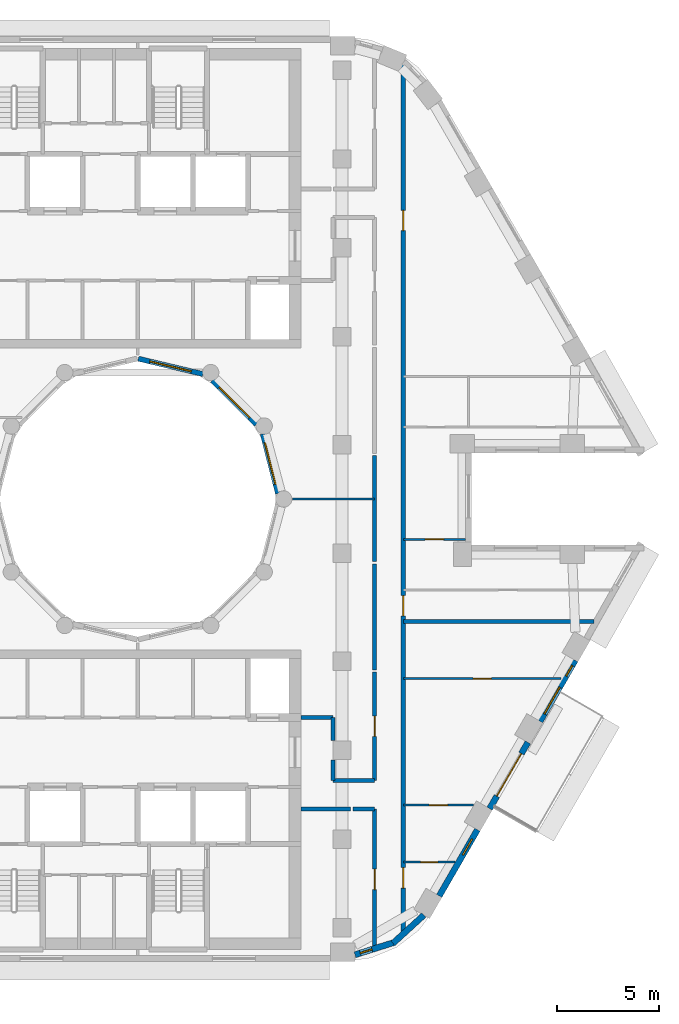
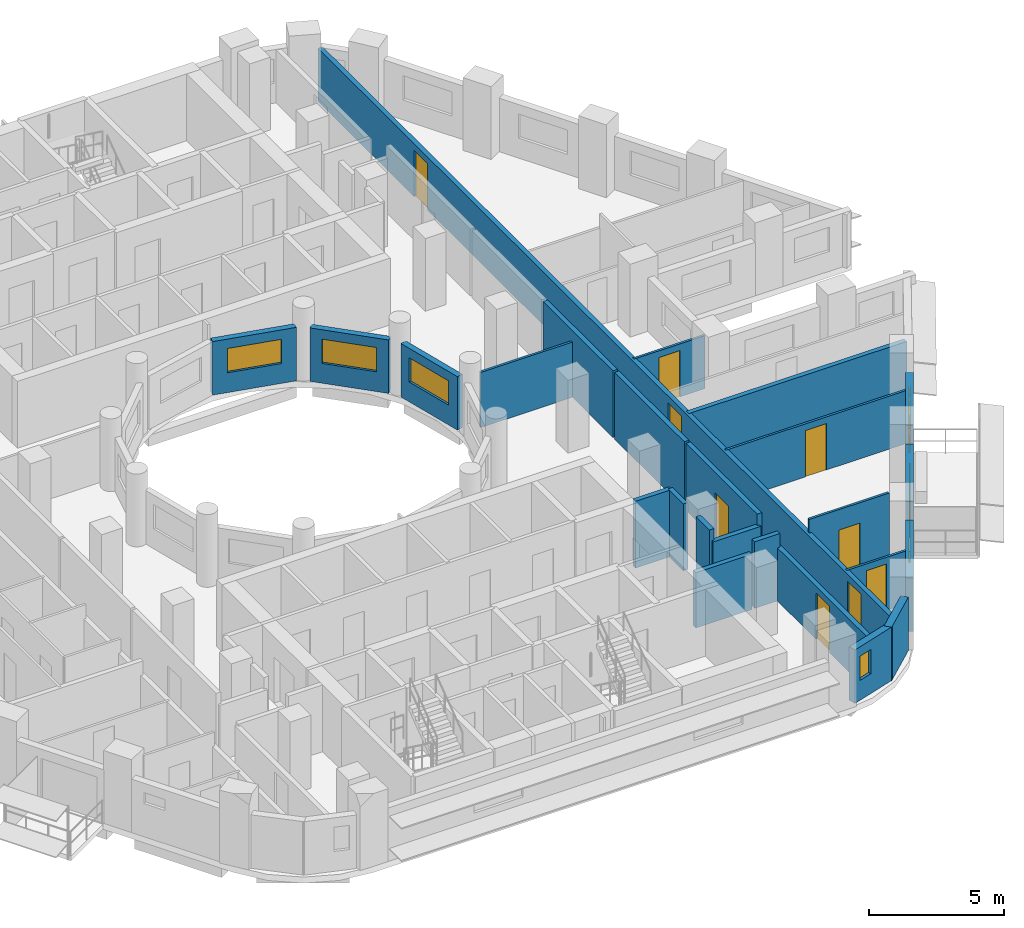
# One storey, part 6 of 17: 25 walls, 10 doors, 7 windows, 17 openings.
"""IFC4 building model written with IfcOpenShell, lengths in metres."""

from ifc_helpers import new_model, si_unit, direction, frame, frame_2d, origin, place, context, subcontext, project, spatial, rectangle, extrude, material, layer, layer_set, type_object, element, fill, save


model = new_model("IFC4")

# Units and contexts
model_context = context("Model", 3, precision=1e-05, world=origin(), true_north=direction((0.0, 1.0)))
body_context = subcontext(model_context, "Body", "Model", "MODEL_VIEW")
ifc_project = project(units=[si_unit("LENGTHUNIT", "METRE"), si_unit("AREAUNIT", "SQUARE_METRE"), si_unit("VOLUMEUNIT", "CUBIC_METRE"), si_unit("PLANEANGLEUNIT", "RADIAN"), si_unit("MASSUNIT", "GRAM", prefix="KILO")], contexts=[model_context])

# Site, building, storey
site_placement = place(None, origin())
site = spatial("IfcSite", under=ifc_project, at=site_placement, CompositionType="ELEMENT")
building_placement = place(site_placement, origin())
building = spatial("IfcBuilding", under=site, at=building_placement, Name="Nakaniwa Court", CompositionType="ELEMENT")
storey_placement = place(building_placement, frame((0.0, 0.0, 209.699951171875)))
storey = spatial("IfcBuildingStorey", under=building, at=storey_placement, Name="L55", CompositionType="ELEMENT", Elevation=209.699951171875)

# Wall, opening, door
ifc_material_1 = material(Name="Acoustic double stud partition")
ifc_layer_1 = layer(ifc_material_1, 0.199951171875)
ifc_layer_set_1 = layer_set([ifc_layer_1], Name="Acoustic double stud partition")
wall_type_1 = type_object("IfcWallType", Name="Acoustic double stud partition 200", PredefinedType="PARTITIONING", material=ifc_layer_set_1)
wall_1_placement = place(storey_placement, frame((91.60009765625, 57.92626953125, 0.0), z_axis=(0.0, 0.0, 1.0), x_axis=(0.0, 1.0, 0.0)))
wall_1 = element("IfcWall", 1, at=wall_1_placement, inside=storey, type_object=wall_type_1, Name="Partition PW-073", PredefinedType="PARTITIONING", context=body_context, shape_type="SweptSolid", body=[
    extrude(rectangle(XDim=6.898681640625, YDim=0.199951171875, at=frame_2d((3.44921875, 0.0))), origin(), (0.0, 0.0, 1.0), 2.405029296875),
])
opening_1_placement = place(wall_1_placement, frame((2.948974609375, 0.0, 0.0)))
opening_1 = element("IfcOpeningElement", 2, at=opening_1_placement, cuts=wall_1, Name="Opening D-02-01", PredefinedType="OPENING", context=body_context, shape_type="SweptSolid", body=[
    extrude(rectangle(XDim=1.0, YDim=2.10009765625, at=frame_2d((0.5, 1.050048828125))), frame((0.0, 0.10986328125, 0.0), z_axis=(0.0, -1.0, 0.0), x_axis=(1.0, 0.0, 0.0)), (0.0, 0.0, 1.0), 0.219970703125),
])
ifc_material_2 = material(Name="Solid core timber door set, black veneer", Category="wood")
door_type_1 = type_object("IfcDoorType", Name="Internal door 1000", OperationType="NOTDEFINED", PredefinedType="DOOR", material=ifc_material_2)
door_1_placement = place(opening_1_placement, origin())
door_1 = element("IfcDoor", 3, at=door_1_placement, inside=storey, type_object=door_type_1, Name="Door D-02-01 L55-029", OperationType="SINGLE_SWING_RIGHT", OverallHeight=2.10009765625, OverallWidth=1.0, PredefinedType="DOOR", context=body_context, shape_type="SweptSolid", body=[
    extrude(rectangle(XDim=1.0, YDim=2.10009765625, at=frame_2d((0.5, 1.050048828125))), frame((0.0, 0.02490234375, 0.0), z_axis=(0.0, -1.0, 0.0), x_axis=(1.0, 0.0, 0.0)), (0.0, 0.0, 1.0), 0.050048828125),
])
fill(opening_1, door_1)

wall_2_placement = place(storey_placement, frame((91.60009765625, 66.22509765625, 0.0), z_axis=(0.0, 0.0, 1.0), x_axis=(0.0, 1.0, 0.0)))
wall_2 = element("IfcWall", 4, at=wall_2_placement, inside=storey, type_object=wall_type_1, Name="Partition PW-074", PredefinedType="PARTITIONING", context=body_context, shape_type="SweptSolid", body=[
    extrude(rectangle(XDim=5.297607421875, YDim=0.199951171875, at=frame_2d((2.64892578125, 0.0))), origin(), (0.0, 0.0, 1.0), 3.025146484375),
])
opening_2_placement = place(wall_2_placement, frame((2.14794921875, 0.0, 0.0)))
opening_2 = element("IfcOpeningElement", 5, at=opening_2_placement, cuts=wall_2, Name="Opening D-02-02", PredefinedType="OPENING", context=body_context, shape_type="SweptSolid", body=[
    extrude(rectangle(XDim=1.0, YDim=2.10009765625, at=frame_2d((0.5, 1.050048828125))), frame((0.0, 0.10986328125, 0.0), z_axis=(0.0, -1.0, 0.0), x_axis=(1.0, 0.0, 0.0)), (0.0, 0.0, 1.0), 0.219970703125),
])
door_2_placement = place(opening_2_placement, origin())
door_2 = element("IfcDoor", 6, at=door_2_placement, inside=storey, type_object=door_type_1, Name="Door D-02-02 L55-034", OperationType="SINGLE_SWING_LEFT", OverallHeight=2.10009765625, OverallWidth=1.0, PredefinedType="DOOR", context=body_context, shape_type="SweptSolid", body=[
    extrude(rectangle(XDim=1.0, YDim=2.10009765625, at=frame_2d((0.5, 1.050048828125))), frame((0.0, 0.02490234375, 0.0), z_axis=(0.0, -1.0, 0.0), x_axis=(1.0, 0.0, 0.0)), (0.0, 0.0, 1.0), 0.050048828125),
])
fill(opening_2, door_2)

# Walls
for number, where, z_axis, x_axis, name in (
    (7, (91.60009765625, 71.63720703125, 0.0), (0.0, 0.0, 1.0), (0.0, 1.0, 0.0), "Partition PW-075"),
    (8, (91.60009765625, 76.937255859375, 0.0), (0.0, 0.0, 1.0), (0.0, 1.0, 0.0), "Partition PW-076"),
):
    element("IfcWall", number, at=place(storey_placement, frame(where, z_axis=z_axis, x_axis=x_axis)), inside=storey, type_object=wall_type_1, Name=name, PredefinedType="PARTITIONING", context=body_context, shape_type="SweptSolid", body=[
        extrude(rectangle(XDim=5.185546875, YDim=0.199951171875, at=frame_2d((2.5927734375, 0.0))), origin(), (0.0, 0.0, 1.0), 3.025146484375),
    ])
wall_3_placement = place(storey_placement, frame((88.0, 64.824951171875, 0.0), z_axis=(0.0, 0.0, 1.0), x_axis=(1.0, 0.0, 0.0)))
element("IfcWall", 9, at=wall_3_placement, inside=storey, type_object=wall_type_1, Name="Partition PW-082", PredefinedType="PARTITIONING", context=body_context, shape_type="SweptSolid", body=[
    extrude(rectangle(XDim=2.412841796875, YDim=0.199951171875, at=frame_2d((1.20654296875, 0.0))), origin(), (0.0, 0.0, 1.0), 2.505126953125),
])
wall_4_placement = place(storey_placement, frame((90.527099609375, 64.824951171875, 0.0), z_axis=(0.0, 0.0, 1.0), x_axis=(1.0, 0.0, 0.0)))
element("IfcWall", 10, at=wall_4_placement, inside=storey, type_object=wall_type_1, Name="Partition PW-083", PredefinedType="PARTITIONING", context=body_context, shape_type="SweptSolid", body=[
    extrude(rectangle(XDim=1.072998046875, YDim=0.199951171875, at=frame_2d((0.53662109375, 0.0))), origin(), (0.0, 0.0, 1.0), 3.025146484375),
])

# Wall, openings, doors
wall_5_placement = place(storey_placement, frame((93.0, 101.28076171875, 0.0), z_axis=(0.0, 0.0, 1.0), x_axis=(0.0, -1.0, 0.0)))
wall_5 = element("IfcWall", 11, at=wall_5_placement, inside=storey, type_object=wall_type_1, Name="Partition PW-084", PredefinedType="PARTITIONING", context=body_context, shape_type="SweptSolid", body=[
    extrude(rectangle(XDim=42.6064453125, YDim=0.199951171875, at=frame_2d((21.30322265625, 0.0))), origin(), (0.0, 0.0, 1.0), 2.405029296875),
])
opening_3_placement = place(wall_5_placement, frame((39.330078125, 0.0, 0.0)))
opening_3 = element("IfcOpeningElement", 12, at=opening_3_placement, cuts=wall_5, Name="Opening D-01-01", PredefinedType="OPENING", context=body_context, shape_type="SweptSolid", body=[
    extrude(rectangle(XDim=1.0, YDim=2.10009765625, at=frame_2d((0.5, 1.050048828125))), frame((0.0, 0.10986328125, 0.0), z_axis=(0.0, -1.0, 0.0), x_axis=(1.0, 0.0, 0.0)), (0.0, 0.0, 1.0), 0.219970703125),
])
opening_4_placement = place(wall_5_placement, frame((26.0048828125, 0.0, 0.0)))
opening_4 = element("IfcOpeningElement", 13, at=opening_4_placement, cuts=wall_5, Name="Opening D-01-02", PredefinedType="OPENING", context=body_context, shape_type="SweptSolid", body=[
    extrude(rectangle(XDim=1.0, YDim=2.10009765625, at=frame_2d((0.5, 1.050048828125))), frame((0.0, 0.10986328125, 0.0), z_axis=(0.0, -1.0, 0.0), x_axis=(1.0, 0.0, 0.0)), (0.0, 0.0, 1.0), 0.219970703125),
])
opening_5_placement = place(wall_5_placement, frame((7.14306640625, 0.0, 0.0)))
opening_5 = element("IfcOpeningElement", 14, at=opening_5_placement, cuts=wall_5, Name="Opening D-02-03", PredefinedType="OPENING", context=body_context, shape_type="SweptSolid", body=[
    extrude(rectangle(XDim=1.0, YDim=2.10009765625, at=frame_2d((0.5, 1.050048828125))), frame((0.0, 0.10986328125, 0.0), z_axis=(0.0, -1.0, 0.0), x_axis=(1.0, 0.0, 0.0)), (0.0, 0.0, 1.0), 0.219970703125),
])
door_type_2 = type_object("IfcDoorType", Name="Flat entrance door 1000", OperationType="NOTDEFINED", PredefinedType="DOOR", material=ifc_material_2)
door_3_placement = place(opening_3_placement, origin())
door_3 = element("IfcDoor", 15, at=door_3_placement, inside=storey, type_object=door_type_2, Name="Door D-01-01 L55-030", OperationType="SINGLE_SWING_LEFT", OverallHeight=2.10009765625, OverallWidth=1.0, PredefinedType="DOOR", context=body_context, shape_type="SweptSolid", body=[
    extrude(rectangle(XDim=1.0, YDim=2.10009765625, at=frame_2d((0.5, 1.050048828125))), frame((0.0, 0.02490234375, 0.0), z_axis=(0.0, -1.0, 0.0), x_axis=(1.0, 0.0, 0.0)), (0.0, 0.0, 1.0), 0.050048828125),
])
fill(opening_3, door_3)
door_4_placement = place(opening_4_placement, origin())
door_4 = element("IfcDoor", 16, at=door_4_placement, inside=storey, type_object=door_type_2, Name="Door D-01-02 L55-035", OperationType="SINGLE_SWING_RIGHT", OverallHeight=2.10009765625, OverallWidth=1.0, PredefinedType="DOOR", context=body_context, shape_type="SweptSolid", body=[
    extrude(rectangle(XDim=1.0, YDim=2.10009765625, at=frame_2d((0.5, 1.050048828125))), frame((0.0, 0.02490234375, 0.0), z_axis=(0.0, -1.0, 0.0), x_axis=(1.0, 0.0, 0.0)), (0.0, 0.0, 1.0), 0.050048828125),
])
fill(opening_4, door_4)
door_5_placement = place(opening_5_placement, origin())
door_5 = element("IfcDoor", 17, at=door_5_placement, inside=storey, type_object=door_type_1, Name="Door D-02-03 L55-040", OperationType="SINGLE_SWING_LEFT", OverallHeight=2.10009765625, OverallWidth=1.0, PredefinedType="DOOR", context=body_context, shape_type="SweptSolid", body=[
    extrude(rectangle(XDim=1.0, YDim=2.10009765625, at=frame_2d((0.5, 1.050048828125))), frame((0.0, 0.02490234375, 0.0), z_axis=(0.0, -1.0, 0.0), x_axis=(1.0, 0.0, 0.0)), (0.0, 0.0, 1.0), 0.050048828125),
])
fill(opening_5, door_5)

# Walls
wall_6_placement = place(storey_placement, frame((88.0, 69.300048828125, 0.0), z_axis=(0.0, 0.0, 1.0), x_axis=(1.0, 0.0, 0.0)))
element("IfcWall", 18, at=wall_6_placement, inside=storey, type_object=wall_type_1, Name="Partition PW-086", PredefinedType="PARTITIONING", context=body_context, shape_type="SweptSolid", body=[
    extrude(rectangle(XDim=1.550048828125, YDim=0.199951171875, at=frame_2d((0.77490234375, 0.0))), origin(), (0.0, 0.0, 1.0), 3.025146484375),
])
wall_7_placement = place(storey_placement, frame((89.550048828125, 66.22509765625, 0.0), z_axis=(0.0, 0.0, 1.0), x_axis=(0.0, 1.0, 0.0)))
element("IfcWall", 19, at=wall_7_placement, inside=storey, type_object=wall_type_1, Name="Partition PW-087", PredefinedType="PARTITIONING", context=body_context, shape_type="SweptSolid", body=[
    extrude(rectangle(XDim=1.0078125, YDim=0.199951171875, at=frame_2d((0.50390625, 0.0))), origin(), (0.0, 0.0, 1.0), 3.025146484375),
])
wall_8_placement = place(storey_placement, frame((89.550048828125, 68.167236328125, 0.0), z_axis=(0.0, 0.0, 1.0), x_axis=(0.0, 1.0, 0.0)))
element("IfcWall", 20, at=wall_8_placement, inside=storey, type_object=wall_type_1, Name="Partition PW-088", PredefinedType="PARTITIONING", context=body_context, shape_type="SweptSolid", body=[
    extrude(rectangle(XDim=1.1328125, YDim=0.199951171875, at=frame_2d((0.56640625, 0.0))), origin(), (0.0, 0.0, 1.0), 3.025146484375),
])
wall_9_placement = place(storey_placement, frame((89.550048828125, 66.22509765625, 0.0), z_axis=(0.0, 0.0, 1.0), x_axis=(1.0, 0.0, 0.0)))
element("IfcWall", 21, at=wall_9_placement, inside=storey, type_object=wall_type_1, Name="Partition PW-092", PredefinedType="PARTITIONING", context=body_context, shape_type="SweptSolid", body=[
    extrude(rectangle(XDim=2.050048828125, YDim=0.199951171875, at=frame_2d((1.02490234375, 0.0))), origin(), (0.0, 0.0, 1.0), 2.505126953125),
])
wall_10_placement = place(storey_placement, frame((93.0009765625, 74.0, 0.0), z_axis=(0.0, 0.0, 1.0), x_axis=(1.0, 0.0, 0.0)))
element("IfcWall", 22, at=wall_10_placement, inside=storey, type_object=wall_type_1, Name="Partition PW-120", PredefinedType="PARTITIONING", context=body_context, shape_type="SweptSolid", body=[
    extrude(rectangle(XDim=9.342529296875, YDim=0.199951171875, at=frame_2d((4.67138671875, 0.0))), origin(), (0.0, 0.0, 1.0), 2.405029296875),
])

# Wall, opening, window
ifc_material_3 = material(Name="Charcoal ceramic cladding")
ifc_layer_2 = layer(ifc_material_3, 0.02, Name="Ceramic cladding")
ifc_material_4 = material(Name="Ventilated air cavity")
ifc_layer_3 = layer(ifc_material_4, 0.04, ventilated=True, Name="Ventilated cavity")
ifc_material_5 = material(Name="Mineral wool insulation")
ifc_layer_4 = layer(ifc_material_5, 0.1, Name="Insulation")
ifc_material_6 = material(Name="Cement bonded sheathing board")
ifc_layer_5 = layer(ifc_material_6, 0.012, Name="Sheathing")
ifc_material_7 = material(Name="Cold-formed galvanised stud frame with mineral wool infill")
ifc_layer_6 = layer(ifc_material_7, 0.1, Name="Stud frame")
ifc_material_8 = material(Name="Fire-rated gypsum plasterboard lining")
ifc_layer_7 = layer(ifc_material_8, 0.028, Name="Lining")
ifc_layer_set_2 = layer_set([ifc_layer_2, ifc_layer_3, ifc_layer_4, ifc_layer_5, ifc_layer_6, ifc_layer_7], Name="Charcoal ceramic faced external wall system")
wall_type_2 = type_object("IfcWallType", Name="Black ceramic faced external wall 300", PredefinedType="SOLIDWALL", material=ifc_layer_set_2)
wall_11_placement = place(storey_placement, frame((90.6357421875, 57.684814453125, 0.0), z_axis=(0.0, 0.0, 1.0), x_axis=(0.95368324118, 0.300812691707, 0.0)))
wall_11 = element("IfcWall", 23, at=wall_11_placement, inside=storey, type_object=wall_type_2, Name="L55 external wall 27", PredefinedType="SOLIDWALL", context=body_context, shape_type="SweptSolid", body=[
    extrude(rectangle(XDim=2.053466796875, YDim=0.300048828125, at=frame_2d((1.02685546875, 0.0))), origin(), (0.0, 0.0, 1.0), 2.425048828125),
])
opening_6_placement = place(wall_11_placement, frame((0.271240234375, 0.0, 0.89990234375)))
opening_6 = element("IfcOpeningElement", 24, at=opening_6_placement, cuts=wall_11, Name="Opening W8.28", PredefinedType="OPENING", context=body_context, shape_type="SweptSolid", body=[
    extrude(rectangle(XDim=0.60009765625, YDim=1.10009765625, at=frame_2d((0.300048828125, 0.550048828125))), frame((0.0, 0.159912109375, 0.0), z_axis=(0.0, -1.0, 0.0), x_axis=(1.0, 0.0, 0.0)), (0.0, 0.0, 1.0), 0.320068359375),
])
ifc_material_9 = material(Name="Black anodised aluminium frame with dark low-E laminated double glazing", Category="aluminium")
window_type_1 = type_object("IfcWindowType", Name="Dark glass window 600x1100 sill 900", PartitioningType="SINGLE_PANEL", PredefinedType="WINDOW", material=ifc_material_9)
window_1_placement = place(opening_6_placement, origin())
window_1 = element("IfcWindow", 25, at=window_1_placement, inside=storey, type_object=window_type_1, Name="L55 habitable room window 27-0", OverallHeight=1.10009765625, OverallWidth=0.60009765625, PartitioningType="SINGLE_PANEL", PredefinedType="WINDOW", context=body_context, shape_type="SweptSolid", body=[
    extrude(rectangle(XDim=0.60009765625, YDim=1.10009765625, at=frame_2d((0.300048828125, 0.550048828125))), frame((0.0, 0.030029296875, 0.0), z_axis=(0.0, -1.0, 0.0), x_axis=(1.0, 0.0, 0.0)), (0.0, 0.0, 1.0), 0.06005859375),
])
fill(opening_6, window_1)

# Wall
wall_12_placement = place(storey_placement, frame((92.494140625, 58.243896484375, 0.0), z_axis=(0.0, 0.0, 1.0), x_axis=(0.73764876128, 0.675184645102, 0.0)))
element("IfcWall", 26, at=wall_12_placement, inside=storey, type_object=wall_type_2, Name="L55 external wall 28", PredefinedType="SOLIDWALL", context=body_context, shape_type="SweptSolid", body=[
    extrude(rectangle(XDim=2.048095703125, YDim=0.300048828125, at=frame_2d((1.02392578125, 0.0))), origin(), (0.0, 0.0, 1.0), 2.425048828125),
])

# Wall, opening, window
wall_13_placement = place(storey_placement, frame((94.760986328125, 60.566650390625, 0.0), z_axis=(0.0, 0.0, 1.0), x_axis=(0.499982088007, 0.866035745032, 0.0)))
wall_13 = element("IfcWall", 27, at=wall_13_placement, inside=storey, type_object=wall_type_2, Name="L55 external wall 29", PredefinedType="SOLIDWALL", context=body_context, shape_type="SweptSolid", body=[
    extrude(rectangle(XDim=3.744384765625, YDim=0.300048828125, at=frame_2d((1.8720703125, 0.0))), origin(), (0.0, 0.0, 1.0), 2.425048828125),
])
opening_7_placement = place(wall_13_placement, frame((2.318603515625, 0.0, 1.5)))
opening_7 = element("IfcOpeningElement", 28, at=opening_7_placement, cuts=wall_13, Name="Opening W10.29", PredefinedType="OPENING", context=body_context, shape_type="SweptSolid", body=[
    extrude(rectangle(XDim=0.89990234375, YDim=0.5, at=frame_2d((0.449951171875, 0.25))), frame((0.0, 0.159912109375, 0.0), z_axis=(0.0, -1.0, 0.0), x_axis=(1.0, 0.0, 0.0)), (0.0, 0.0, 1.0), 0.320068359375),
])
window_type_2 = type_object("IfcWindowType", Name="Dark glass window 900x500 sill 1500", PartitioningType="SINGLE_PANEL", PredefinedType="WINDOW", material=ifc_material_9)
window_2_placement = place(opening_7_placement, origin())
window_2 = element("IfcWindow", 29, at=window_2_placement, inside=storey, type_object=window_type_2, Name="L55 bathroom window 29-1", OverallHeight=0.5, OverallWidth=0.89990234375, PartitioningType="SINGLE_PANEL", PredefinedType="WINDOW", context=body_context, shape_type="SweptSolid", body=[
    extrude(rectangle(XDim=0.89990234375, YDim=0.5, at=frame_2d((0.449951171875, 0.25))), frame((0.0, 0.030029296875, 0.0), z_axis=(0.0, -1.0, 0.0), x_axis=(1.0, 0.0, 0.0)), (0.0, 0.0, 1.0), 0.06005859375),
])
fill(opening_7, window_2)

# Wall, opening, door
wall_14_placement = place(storey_placement, frame((97.22900390625, 64.841552734375, 0.0), z_axis=(0.0, 0.0, 1.0), x_axis=(0.500059225181, 0.86599120741, 0.0)))
wall_14 = element("IfcWall", 30, at=wall_14_placement, inside=storey, type_object=wall_type_2, Name="L55 external wall 30", PredefinedType="SOLIDWALL", context=body_context, shape_type="SweptSolid", body=[
    extrude(rectangle(XDim=3.744140625, YDim=0.300048828125, at=frame_2d((1.8720703125, 0.0))), origin(), (0.0, 0.0, 1.0), 2.425048828125),
])
opening_8_placement = place(wall_14_placement, frame((0.710693359375, 0.0, 0.0)))
opening_8 = element("IfcOpeningElement", 31, at=opening_8_placement, cuts=wall_14, Name="Opening XD13.03", PredefinedType="OPENING", context=body_context, shape_type="SweptSolid", body=[
    extrude(rectangle(XDim=2.39990234375, YDim=2.0, at=frame_2d((1.199951171875, 1.0))), frame((0.0, 0.159912109375, 0.0), z_axis=(0.0, -1.0, 0.0), x_axis=(1.0, 0.0, 0.0)), (0.0, 0.0, 1.0), 0.320068359375),
])
ifc_material_10 = material(Name="Black powder-coated aluminium frame with dark laminated glass", Category="aluminium")
door_type_3 = type_object("IfcDoorType", Name="Balcony sliding door 2400x2000", OperationType="DOUBLE_DOOR_SLIDING", PredefinedType="DOOR", material=ifc_material_10)
door_6_placement = place(opening_8_placement, origin())
door_6 = element("IfcDoor", 32, at=door_6_placement, inside=storey, type_object=door_type_3, Name="L55 balcony sliding door 03", OperationType="DOUBLE_DOOR_SLIDING", OverallHeight=2.0, OverallWidth=2.39990234375, PredefinedType="DOOR", context=body_context, shape_type="SweptSolid", body=[
    extrude(rectangle(XDim=2.39990234375, YDim=2.0, at=frame_2d((1.199951171875, 1.0))), frame((0.0, 0.02490234375, 0.0), z_axis=(0.0, -1.0, 0.0), x_axis=(1.0, 0.0, 0.0)), (0.0, 0.0, 1.0), 0.050048828125),
])
fill(opening_8, door_6)

# Wall, openings, windows
wall_15_placement = place(storey_placement, frame((99.697265625, 69.116455078125, 0.0), z_axis=(0.0, 0.0, 1.0), x_axis=(0.499955427682, 0.866051136095, 0.0)))
wall_15 = element("IfcWall", 33, at=wall_15_placement, inside=storey, type_object=wall_type_2, Name="L55 external wall 31", PredefinedType="SOLIDWALL", context=body_context, shape_type="SweptSolid", body=[
    extrude(rectangle(XDim=3.447021484375, YDim=0.300048828125, at=frame_2d((1.7236328125, 0.0))), origin(), (0.0, 0.0, 1.0), 2.425048828125),
])
opening_9_placement = place(wall_15_placement, frame((0.42236328125, 0.0, 0.89990234375)))
opening_9 = element("IfcOpeningElement", 34, at=opening_9_placement, cuts=wall_15, Name="Opening W5.30", PredefinedType="OPENING", context=body_context, shape_type="SweptSolid", body=[
    extrude(rectangle(XDim=1.5, YDim=1.10009765625, at=frame_2d((0.75, 0.550048828125))), frame((0.0, 0.159912109375, 0.0), z_axis=(0.0, -1.0, 0.0), x_axis=(1.0, 0.0, 0.0)), (0.0, 0.0, 1.0), 0.320068359375),
])
opening_10_placement = place(wall_15_placement, frame((2.558837890625, 0.0, 0.89990234375)))
opening_10 = element("IfcOpeningElement", 35, at=opening_10_placement, cuts=wall_15, Name="Opening W8.31", PredefinedType="OPENING", context=body_context, shape_type="SweptSolid", body=[
    extrude(rectangle(XDim=0.60009765625, YDim=1.10009765625, at=frame_2d((0.300048828125, 0.550048828125))), frame((0.0, 0.159912109375, 0.0), z_axis=(0.0, -1.0, 0.0), x_axis=(1.0, 0.0, 0.0)), (0.0, 0.0, 1.0), 0.320068359375),
])
window_type_3 = type_object("IfcWindowType", Name="Dark glass window 1500x1100 sill 900", PartitioningType="SINGLE_PANEL", PredefinedType="WINDOW", material=ifc_material_9)
window_3_placement = place(opening_9_placement, origin())
window_3 = element("IfcWindow", 36, at=window_3_placement, inside=storey, type_object=window_type_3, Name="L55 living window 31-0", OverallHeight=1.10009765625, OverallWidth=1.5, PartitioningType="SINGLE_PANEL", PredefinedType="WINDOW", context=body_context, shape_type="SweptSolid", body=[
    extrude(rectangle(XDim=1.5, YDim=1.10009765625, at=frame_2d((0.75, 0.550048828125))), frame((0.0, 0.030029296875, 0.0), z_axis=(0.0, -1.0, 0.0), x_axis=(1.0, 0.0, 0.0)), (0.0, 0.0, 1.0), 0.06005859375),
])
fill(opening_9, window_3)
window_4_placement = place(opening_10_placement, origin())
window_4 = element("IfcWindow", 37, at=window_4_placement, inside=storey, type_object=window_type_1, Name="L55 habitable room window 31-1", OverallHeight=1.10009765625, OverallWidth=0.60009765625, PartitioningType="SINGLE_PANEL", PredefinedType="WINDOW", context=body_context, shape_type="SweptSolid", body=[
    extrude(rectangle(XDim=0.60009765625, YDim=1.10009765625, at=frame_2d((0.300048828125, 0.550048828125))), frame((0.0, 0.030029296875, 0.0), z_axis=(0.0, -1.0, 0.0), x_axis=(1.0, 0.0, 0.0)), (0.0, 0.0, 1.0), 0.06005859375),
])
fill(opening_10, window_4)

# Wall, opening, window
ifc_layer_8 = layer(ifc_material_3, 0.02, Name="Ceramic cladding")
ifc_layer_9 = layer(ifc_material_4, 0.04, ventilated=True, Name="Ventilated cavity")
ifc_layer_10 = layer(ifc_material_5, 0.075, Name="Insulation")
ifc_layer_11 = layer(ifc_material_6, 0.012, Name="Sheathing")
ifc_layer_12 = layer(ifc_material_7, 0.075, Name="Stud frame")
ifc_layer_13 = layer(ifc_material_8, 0.028, Name="Lining")
ifc_layer_set_3 = layer_set([ifc_layer_8, ifc_layer_9, ifc_layer_10, ifc_layer_11, ifc_layer_12, ifc_layer_13], Name="Charcoal ceramic faced external wall system")
wall_type_3 = type_object("IfcWallType", Name="Charcoal ceramic faced well wall 250", PredefinedType="SOLIDWALL", material=ifc_layer_set_3)
wall_16_placement = place(storey_placement, frame((80.029052734375, 86.87158203125, 0.0), z_axis=(0.0, 0.0, 1.0), x_axis=(0.972773113459, -0.231759508395, 0.0)))
wall_16 = element("IfcWall", 38, at=wall_16_placement, inside=storey, type_object=wall_type_3, Name="L55 external wall 45", PredefinedType="SOLIDWALL", context=body_context, shape_type="SweptSolid", body=[
    extrude(rectangle(XDim=3.24560546875, YDim=0.25, at=frame_2d((1.622802734375, 0.0))), origin(), (0.0, 0.0, 1.0), 2.425048828125),
])
opening_11_placement = place(wall_16_placement, frame((0.57275390625, 0.0, 0.89990234375)))
opening_11 = element("IfcOpeningElement", 39, at=opening_11_placement, cuts=wall_16, Name="Opening W7.45", PredefinedType="OPENING", context=body_context, shape_type="SweptSolid", body=[
    extrude(rectangle(XDim=2.10009765625, YDim=1.10009765625, at=frame_2d((1.050048828125, 0.550048828125))), frame((0.0, 0.135009765625, 0.0), z_axis=(0.0, -1.0, 0.0), x_axis=(1.0, 0.0, 0.0)), (0.0, 0.0, 1.0), 0.27001953125),
])
window_type_4 = type_object("IfcWindowType", Name="Dark glass window 2100x1100 sill 900", PartitioningType="SINGLE_PANEL", PredefinedType="WINDOW", material=ifc_material_9)
window_5_placement = place(opening_11_placement, origin())
window_5 = element("IfcWindow", 40, at=window_5_placement, inside=storey, type_object=window_type_4, Name="L55 habitable room window 45-0", OverallHeight=1.10009765625, OverallWidth=2.10009765625, PartitioningType="SINGLE_PANEL", PredefinedType="WINDOW", context=body_context, shape_type="SweptSolid", body=[
    extrude(rectangle(XDim=2.10009765625, YDim=1.10009765625, at=frame_2d((1.050048828125, 0.550048828125))), frame((0.0, 0.030029296875, 0.0), z_axis=(0.0, -1.0, 0.0), x_axis=(1.0, 0.0, 0.0)), (0.0, 0.0, 1.0), 0.06005859375),
])
fill(opening_11, window_5)

wall_17_placement = place(storey_placement, frame((83.660888671875, 85.8056640625, 0.0), z_axis=(0.0, 0.0, 1.0), x_axis=(0.707106781187, -0.707106781187, 0.0)))
wall_17 = element("IfcWall", 41, at=wall_17_placement, inside=storey, type_object=wall_type_3, Name="L55 external wall 46", PredefinedType="SOLIDWALL", context=body_context, shape_type="SweptSolid", body=[
    extrude(rectangle(XDim=3.033203125, YDim=0.25, at=frame_2d((1.5166015625, 0.0))), origin(), (0.0, 0.0, 1.0), 2.425048828125),
])
opening_12_placement = place(wall_17_placement, frame((0.466552734375, 0.0, 0.89990234375)))
opening_12 = element("IfcOpeningElement", 42, at=opening_12_placement, cuts=wall_17, Name="Opening W7.46", PredefinedType="OPENING", context=body_context, shape_type="SweptSolid", body=[
    extrude(rectangle(XDim=2.10009765625, YDim=1.10009765625, at=frame_2d((1.050048828125, 0.550048828125))), frame((0.0, 0.135009765625, 0.0), z_axis=(0.0, -1.0, 0.0), x_axis=(1.0, 0.0, 0.0)), (0.0, 0.0, 1.0), 0.27001953125),
])
window_6_placement = place(opening_12_placement, origin())
window_6 = element("IfcWindow", 43, at=window_6_placement, inside=storey, type_object=window_type_4, Name="L55 habitable room window 46-0", OverallHeight=1.10009765625, OverallWidth=2.10009765625, PartitioningType="SINGLE_PANEL", PredefinedType="WINDOW", context=body_context, shape_type="SweptSolid", body=[
    extrude(rectangle(XDim=2.10009765625, YDim=1.10009765625, at=frame_2d((1.050048828125, 0.550048828125))), frame((0.0, 0.030029296875, 0.0), z_axis=(0.0, -1.0, 0.0), x_axis=(1.0, 0.0, 0.0)), (0.0, 0.0, 1.0), 0.06005859375),
])
fill(opening_12, window_6)

wall_18_placement = place(storey_placement, frame((86.11669921875, 83.186767578125, 0.0), z_axis=(0.0, 0.0, 1.0), x_axis=(0.247055971283, -0.969001211069, 0.0)))
wall_18 = element("IfcWall", 44, at=wall_18_placement, inside=storey, type_object=wall_type_3, Name="L55 external wall 47", PredefinedType="SOLIDWALL", context=body_context, shape_type="SweptSolid", body=[
    extrude(rectangle(XDim=3.010009765625, YDim=0.25, at=frame_2d((1.5048828125, 0.0))), origin(), (0.0, 0.0, 1.0), 2.425048828125),
])
opening_13_placement = place(wall_18_placement, frame((0.441162109375, 0.0, 0.89990234375)))
opening_13 = element("IfcOpeningElement", 45, at=opening_13_placement, cuts=wall_18, Name="Opening W7.47", PredefinedType="OPENING", context=body_context, shape_type="SweptSolid", body=[
    extrude(rectangle(XDim=2.10009765625, YDim=1.10009765625, at=frame_2d((1.050048828125, 0.550048828125))), frame((0.0, 0.135009765625, 0.0), z_axis=(0.0, -1.0, 0.0), x_axis=(1.0, 0.0, 0.0)), (0.0, 0.0, 1.0), 0.27001953125),
])
window_7_placement = place(opening_13_placement, origin())
window_7 = element("IfcWindow", 46, at=window_7_placement, inside=storey, type_object=window_type_4, Name="L55 habitable room window 47-0", OverallHeight=1.10009765625, OverallWidth=2.10009765625, PartitioningType="SINGLE_PANEL", PredefinedType="WINDOW", context=body_context, shape_type="SweptSolid", body=[
    extrude(rectangle(XDim=2.10009765625, YDim=1.10009765625, at=frame_2d((1.050048828125, 0.550048828125))), frame((0.0, 0.030029296875, 0.0), z_axis=(0.0, -1.0, 0.0), x_axis=(1.0, 0.0, 0.0)), (0.0, 0.0, 1.0), 0.06005859375),
])
fill(opening_13, window_7)

# Wall, opening, door
ifc_material_11 = material(Name="Single stud plasterboard partition")
ifc_layer_14 = layer(ifc_material_11, 0.10009765625)
ifc_layer_set_4 = layer_set([ifc_layer_14], Name="Single stud plasterboard partition")
wall_type_4 = type_object("IfcWallType", Name="Single stud plasterboard partition 100", PredefinedType="PARTITIONING", material=ifc_layer_set_4)
wall_19_placement = place(storey_placement, frame((93.0009765625, 62.22509765625, 0.0), z_axis=(0.0, 0.0, 1.0), x_axis=(1.0, 0.0, 0.0)))
wall_19 = element("IfcWall", 47, at=wall_19_placement, inside=storey, type_object=wall_type_4, Name="Partition PW-117", PredefinedType="PARTITIONING", context=body_context, shape_type="SweptSolid", body=[
    extrude(rectangle(XDim=2.544189453125, YDim=0.10009765625, at=frame_2d((1.27197265625, 0.0))), origin(), (0.0, 0.0, 1.0), 2.405029296875),
])
opening_14_placement = place(wall_19_placement, frame((0.846923828125, 0.0, 0.0)))
opening_14 = element("IfcOpeningElement", 48, at=opening_14_placement, cuts=wall_19, Name="Opening D-03-01", PredefinedType="OPENING", context=body_context, shape_type="SweptSolid", body=[
    extrude(rectangle(XDim=0.85009765625, YDim=2.10009765625, at=frame_2d((0.425048828125, 1.050048828125))), frame((0.0, 0.06005859375, 0.0), z_axis=(0.0, -1.0, 0.0), x_axis=(1.0, 0.0, 0.0)), (0.0, 0.0, 1.0), 0.1201171875),
])
ifc_material_12 = material(Name="Moisture sealed timber door set", Category="wood")
door_type_4 = type_object("IfcDoorType", Name="Bathroom door 850", OperationType="NOTDEFINED", PredefinedType="DOOR", material=ifc_material_12)
door_7_placement = place(opening_14_placement, origin())
door_7 = element("IfcDoor", 49, at=door_7_placement, inside=storey, type_object=door_type_4, Name="Door D-03-01 L55-031", OperationType="SINGLE_SWING_RIGHT", OverallHeight=2.10009765625, OverallWidth=0.85009765625, PredefinedType="DOOR", context=body_context, shape_type="SweptSolid", body=[
    extrude(rectangle(XDim=0.85009765625, YDim=2.10009765625, at=frame_2d((0.425048828125, 1.050048828125))), frame((0.0, 0.02490234375, 0.0), z_axis=(0.0, -1.0, 0.0), x_axis=(1.0, 0.0, 0.0)), (0.0, 0.0, 1.0), 0.050048828125),
])
fill(opening_14, door_7)

wall_20_placement = place(storey_placement, frame((93.0009765625, 65.013916015625, 0.0), z_axis=(0.0, 0.0, 1.0), x_axis=(1.0, 0.0, 0.0)))
wall_20 = element("IfcWall", 50, at=wall_20_placement, inside=storey, type_object=wall_type_4, Name="Partition PW-118", PredefinedType="PARTITIONING", context=body_context, shape_type="SweptSolid", body=[
    extrude(rectangle(XDim=3.4384765625, YDim=0.10009765625, at=frame_2d((1.71923828125, 0.0))), origin(), (0.0, 0.0, 1.0), 3.025146484375),
])
opening_15_placement = place(wall_20_placement, frame((1.26904296875, 0.0, 0.0)))
opening_15 = element("IfcOpeningElement", 51, at=opening_15_placement, cuts=wall_20, Name="Opening D-33-01", PredefinedType="OPENING", context=body_context, shape_type="SweptSolid", body=[
    extrude(rectangle(XDim=0.89990234375, YDim=2.10009765625, at=frame_2d((0.449951171875, 1.050048828125))), frame((0.0, 0.06005859375, 0.0), z_axis=(0.0, -1.0, 0.0), x_axis=(1.0, 0.0, 0.0)), (0.0, 0.0, 1.0), 0.1201171875),
])
door_type_5 = type_object("IfcDoorType", Name="Internal door 900", OperationType="NOTDEFINED", PredefinedType="DOOR", material=ifc_material_2)
door_8_placement = place(opening_15_placement, origin())
door_8 = element("IfcDoor", 52, at=door_8_placement, inside=storey, type_object=door_type_5, Name="Door D-33-01 L55-032", OperationType="SINGLE_SWING_LEFT", OverallHeight=2.10009765625, OverallWidth=0.89990234375, PredefinedType="DOOR", context=body_context, shape_type="SweptSolid", body=[
    extrude(rectangle(XDim=0.89990234375, YDim=2.10009765625, at=frame_2d((0.449951171875, 1.050048828125))), frame((0.0, 0.02490234375, 0.0), z_axis=(0.0, -1.0, 0.0), x_axis=(1.0, 0.0, 0.0)), (0.0, 0.0, 1.0), 0.050048828125),
])
fill(opening_15, door_8)

wall_21_placement = place(storey_placement, frame((93.0009765625, 71.2109375, 0.0), z_axis=(0.0, 0.0, 1.0), x_axis=(1.0, 0.0, 0.0)))
wall_21 = element("IfcWall", 53, at=wall_21_placement, inside=storey, type_object=wall_type_4, Name="Partition PW-119", PredefinedType="PARTITIONING", context=body_context, shape_type="SweptSolid", body=[
    extrude(rectangle(XDim=7.732421875, YDim=0.10009765625, at=frame_2d((3.8662109375, 0.0))), origin(), (0.0, 0.0, 1.0), 2.405029296875),
])
opening_16_placement = place(wall_21_placement, frame((3.416015625, 0.0, 0.0)))
opening_16 = element("IfcOpeningElement", 54, at=opening_16_placement, cuts=wall_21, Name="Opening D-33-02", PredefinedType="OPENING", context=body_context, shape_type="SweptSolid", body=[
    extrude(rectangle(XDim=0.89990234375, YDim=2.10009765625, at=frame_2d((0.449951171875, 1.050048828125))), frame((0.0, 0.06005859375, 0.0), z_axis=(0.0, -1.0, 0.0), x_axis=(1.0, 0.0, 0.0)), (0.0, 0.0, 1.0), 0.1201171875),
])
door_9_placement = place(opening_16_placement, origin())
door_9 = element("IfcDoor", 55, at=door_9_placement, inside=storey, type_object=door_type_5, Name="Door D-33-02 L55-033", OperationType="SINGLE_SWING_RIGHT", OverallHeight=2.10009765625, OverallWidth=0.89990234375, PredefinedType="DOOR", context=body_context, shape_type="SweptSolid", body=[
    extrude(rectangle(XDim=0.89990234375, YDim=2.10009765625, at=frame_2d((0.449951171875, 1.050048828125))), frame((0.0, 0.02490234375, 0.0), z_axis=(0.0, -1.0, 0.0), x_axis=(1.0, 0.0, 0.0)), (0.0, 0.0, 1.0), 0.050048828125),
])
fill(opening_16, door_9)

# Wall
wall_22_placement = place(storey_placement, frame((87.570068359375, 80.0, 0.0), z_axis=(0.0, 0.0, 1.0), x_axis=(1.0, 0.0, 0.0)))
element("IfcWall", 56, at=wall_22_placement, inside=storey, type_object=wall_type_4, Name="Partition PW-121", PredefinedType="PARTITIONING", context=body_context, shape_type="SweptSolid", body=[
    extrude(rectangle(XDim=4.029052734375, YDim=0.10009765625, at=frame_2d((2.0146484375, 0.0))), origin(), (0.0, 0.0, 1.0), 2.505126953125),
])

# Wall, opening, door
wall_23_placement = place(storey_placement, frame((93.0009765625, 78.02490234375, 0.0), z_axis=(0.0, 0.0, 1.0), x_axis=(1.0, 0.0, 0.0)))
wall_23 = element("IfcWall", 57, at=wall_23_placement, inside=storey, type_object=wall_type_4, Name="Partition PW-123", PredefinedType="PARTITIONING", context=body_context, shape_type="SweptSolid", body=[
    extrude(rectangle(XDim=3.048583984375, YDim=0.10009765625, at=frame_2d((1.5244140625, 0.0))), origin(), (0.0, 0.0, 1.0), 2.405029296875),
])
opening_17_placement = place(wall_23_placement, frame((1.073974609375, 0.0, 0.0)))
opening_17 = element("IfcOpeningElement", 58, at=opening_17_placement, cuts=wall_23, Name="Opening D-33-04", PredefinedType="OPENING", context=body_context, shape_type="SweptSolid", body=[
    extrude(rectangle(XDim=0.89990234375, YDim=2.10009765625, at=frame_2d((0.449951171875, 1.050048828125))), frame((0.0, 0.06005859375, 0.0), z_axis=(0.0, -1.0, 0.0), x_axis=(1.0, 0.0, 0.0)), (0.0, 0.0, 1.0), 0.1201171875),
])
door_10_placement = place(opening_17_placement, origin())
door_10 = element("IfcDoor", 59, at=door_10_placement, inside=storey, type_object=door_type_5, Name="Door D-33-04 L55-037", OperationType="SINGLE_SWING_RIGHT", OverallHeight=2.10009765625, OverallWidth=0.89990234375, PredefinedType="DOOR", context=body_context, shape_type="SweptSolid", body=[
    extrude(rectangle(XDim=0.89990234375, YDim=2.10009765625, at=frame_2d((0.449951171875, 1.050048828125))), frame((0.0, 0.02490234375, 0.0), z_axis=(0.0, -1.0, 0.0), x_axis=(1.0, 0.0, 0.0)), (0.0, 0.0, 1.0), 0.050048828125),
])
fill(opening_17, door_10)

save(model, "model.ifc")
